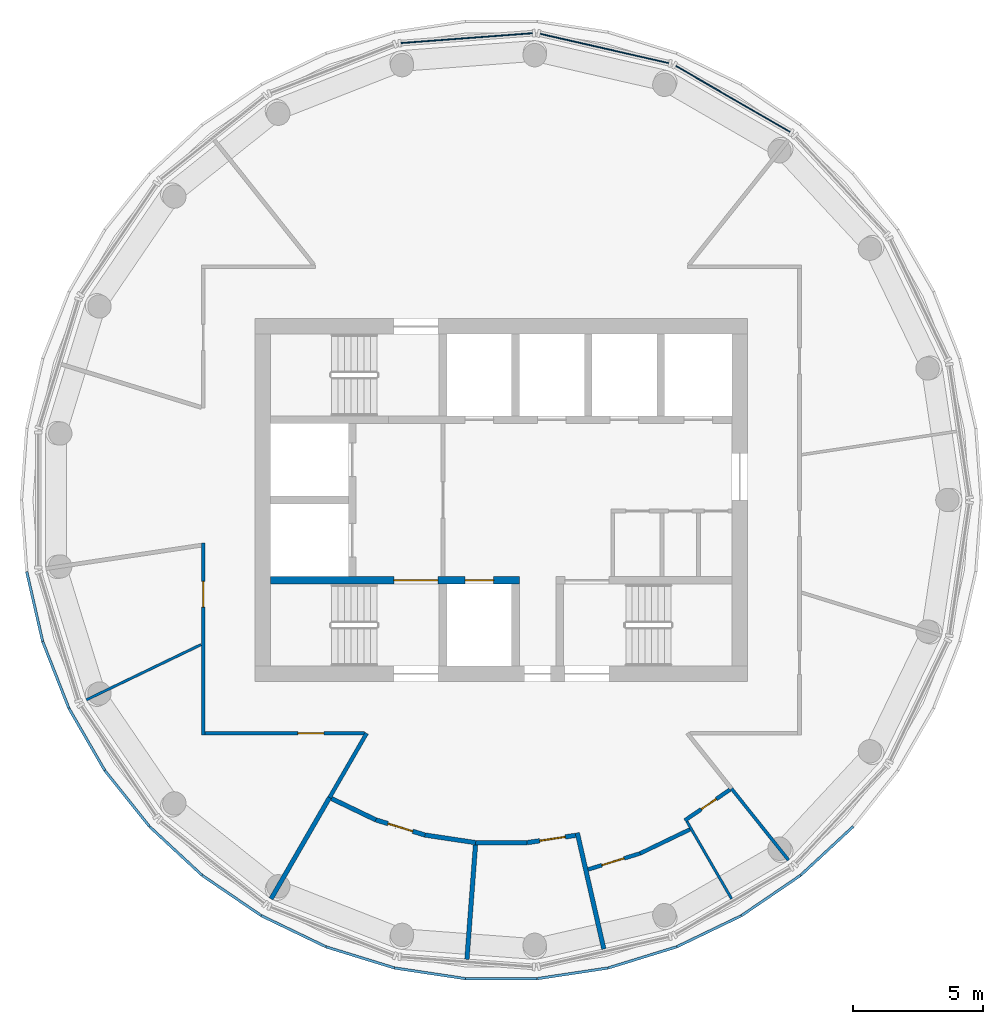
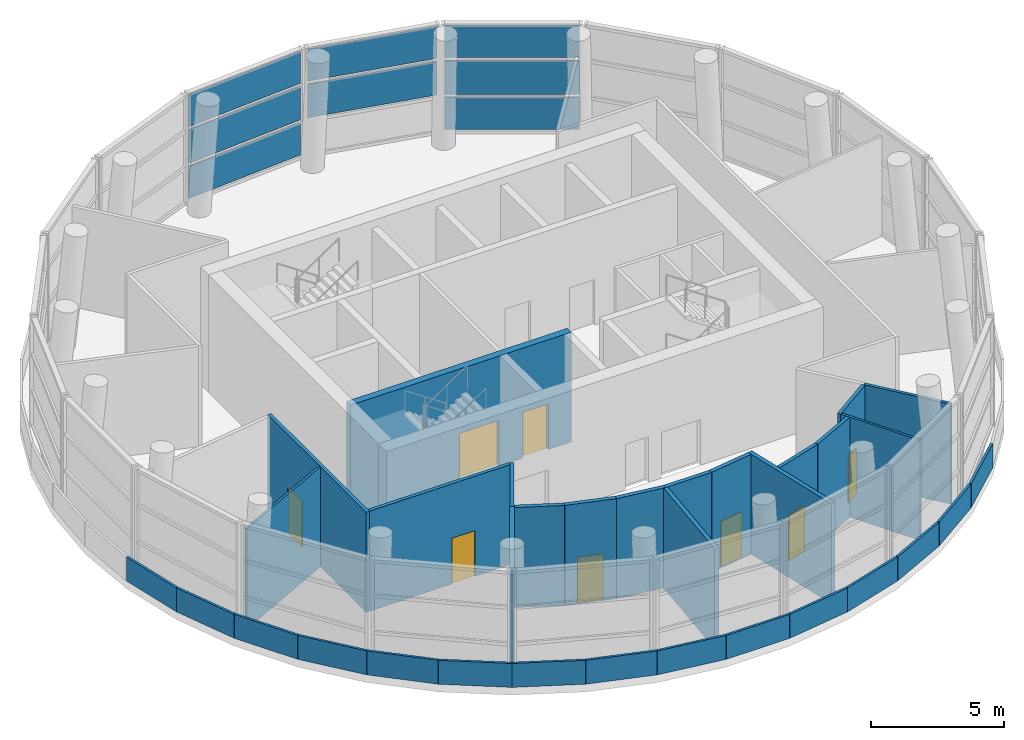
# One storey, part 5 of 11: 33 walls, 8 doors, 8 plates, 8 openings, 3 elements without a shape of their own.
"""IFC4 building model written with IfcOpenShell, lengths in metres."""

from ifc_helpers import new_model, si_unit, direction, frame, frame_2d, origin, origin_2d, place, context, subcontext, project, spatial, rectangle, extrude, material, layer, layer_set, type_object, element, fill, aggregate, save


model = new_model("IFC4")

# Units and contexts
model_context = context("Model", 3, precision=1e-05, world=origin(), true_north=direction((0.0, 1.0)))
body_context = subcontext(model_context, "Body", "Model", "MODEL_VIEW")
ifc_project = project(units=[si_unit("LENGTHUNIT", "METRE"), si_unit("AREAUNIT", "SQUARE_METRE"), si_unit("VOLUMEUNIT", "CUBIC_METRE"), si_unit("PLANEANGLEUNIT", "RADIAN"), si_unit("MASSUNIT", "GRAM", prefix="KILO")], contexts=[model_context])

# Site, building, storey
site_placement = place(None, origin())
site = spatial("IfcSite", under=ifc_project, at=site_placement, CompositionType="ELEMENT")
building_placement = place(site_placement, origin())
building = spatial("IfcBuilding", under=site, at=building_placement, Name="Tracery Tower", CompositionType="ELEMENT")
storey_placement = place(building_placement, frame((0.0, 0.0, 346.800048828125)))
storey = spatial("IfcBuildingStorey", under=building, at=storey_placement, Name="L89", CompositionType="ELEMENT", Elevation=346.800048828125)

# Curtain wall, plates
ifc_material_1 = material(Name="Aluminium curtain wall with tinted glass", Category="aluminium")
curtain_wall_type = type_object("IfcCurtainWallType", Name="Observation lower deck glazing curtain wall", PredefinedType="NOTDEFINED", material=ifc_material_1)
curtain_wall_1_placement = place(storey_placement, origin())
curtain_wall_1 = element("IfcCurtainWall", 1, at=curtain_wall_1_placement, inside=storey, type_object=curtain_wall_type, Name="Observation lower deck glazing run 03", PredefinedType="NOTDEFINED")
ifc_material_2 = material(Name="Tinted laminated glass", Category="glass")
ifc_layer_1 = layer(ifc_material_2, 0.0439453125)
ifc_layer_set_1 = layer_set([ifc_layer_1], Name="Observation lower deck glazing glass panel 44")
plate_type = type_object("IfcPlateType", Name="Observation lower deck glazing glass panel 44", PredefinedType="CURTAIN_PANEL", material=ifc_layer_set_1)
plate_1_placement = place(storey_placement, frame((8.935302734375, 15.47607421875, 0.14013671875), z_axis=(0.0, 0.0, 1.0), x_axis=(-0.866025553682, 0.49999974037, 0.0)))
plate_1 = element("IfcPlate", 2, at=plate_1_placement, type_object=plate_type, Name="CWB4 panel 1.1", PredefinedType="CURTAIN_PANEL", context=body_context, shape_type="SweptSolid", body=[
    extrude(rectangle(XDim=5.0869140625, YDim=0.0439453125, at=origin_2d()), origin(), (0.0, 0.0, 1.0), 1.473388671875),
])
plate_2_placement = place(storey_placement, frame((8.935302734375, 15.47607421875, 1.753173828125), z_axis=(0.0, 0.0, 1.0), x_axis=(-0.866025553682, 0.49999974037, 0.0)))
plate_2 = element("IfcPlate", 3, at=plate_2_placement, type_object=plate_type, Name="CWB4 panel 1.2", PredefinedType="CURTAIN_PANEL", context=body_context, shape_type="SweptSolid", body=[
    extrude(rectangle(XDim=5.0869140625, YDim=0.0439453125, at=origin_2d()), origin(), (0.0, 0.0, 1.0), 1.54345703125),
])
plate_3_placement = place(storey_placement, frame((8.935302734375, 15.47607421875, 3.4365234375), z_axis=(0.0, 0.0, 1.0), x_axis=(-0.866025553682, 0.49999974037, 0.0)))
plate_3 = element("IfcPlate", 4, at=plate_3_placement, type_object=plate_type, Name="CWB4 panel 1.3", PredefinedType="CURTAIN_PANEL", context=body_context, shape_type="SweptSolid", body=[
    extrude(rectangle(XDim=5.0869140625, YDim=0.0439453125, at=origin_2d()), origin(), (0.0, 0.0, 1.0), 1.473388671875),
])
aggregate(curtain_wall_1, [plate_1, plate_2, plate_3])

curtain_wall_2_placement = place(storey_placement, origin())
curtain_wall_2 = element("IfcCurtainWall", 5, at=curtain_wall_2_placement, inside=storey, type_object=curtain_wall_type, Name="Observation lower deck glazing run 04", PredefinedType="NOTDEFINED")
plate_4_placement = place(storey_placement, frame((3.9765625, 17.42236328125, 1.753173828125), z_axis=(0.0, 0.0, 1.0), x_axis=(-0.974925121639, 0.222533159769, 0.0)))
plate_4 = element("IfcPlate", 6, at=plate_4_placement, type_object=plate_type, Name="CWB4 panel 1.2", PredefinedType="CURTAIN_PANEL", context=body_context, shape_type="SweptSolid", body=[
    extrude(rectangle(XDim=5.087158203125, YDim=0.0439453125, at=origin_2d()), origin(), (0.0, 0.0, 1.0), 1.54345703125),
])
plate_5_placement = place(storey_placement, frame((3.9765625, 17.42236328125, 3.4365234375), z_axis=(0.0, 0.0, 1.0), x_axis=(-0.974925121639, 0.222533159769, 0.0)))
plate_5 = element("IfcPlate", 7, at=plate_5_placement, type_object=plate_type, Name="CWB4 panel 1.3", PredefinedType="CURTAIN_PANEL", context=body_context, shape_type="SweptSolid", body=[
    extrude(rectangle(XDim=5.087158203125, YDim=0.0439453125, at=origin_2d()), origin(), (0.0, 0.0, 1.0), 1.473388671875),
])
aggregate(curtain_wall_2, [plate_4, plate_5])

curtain_wall_3_placement = place(storey_placement, origin())
curtain_wall_3 = element("IfcCurtainWall", 8, at=curtain_wall_3_placement, inside=storey, type_object=curtain_wall_type, Name="Observation lower deck glazing run 05", PredefinedType="NOTDEFINED")
plate_6_placement = place(storey_placement, frame((-1.33544921875, 17.8203125, 0.14013671875), z_axis=(0.0, 0.0, 1.0), x_axis=(-0.997203734876, -0.074730924986, 0.0)))
plate_6 = element("IfcPlate", 9, at=plate_6_placement, type_object=plate_type, Name="CWB4 panel 1.1", PredefinedType="CURTAIN_PANEL", context=body_context, shape_type="SweptSolid", body=[
    extrude(rectangle(XDim=5.087158203125, YDim=0.0439453125, at=origin_2d()), origin(), (0.0, 0.0, 1.0), 1.473388671875),
])
plate_7_placement = place(storey_placement, frame((-1.33544921875, 17.8203125, 1.753173828125), z_axis=(0.0, 0.0, 1.0), x_axis=(-0.997203734876, -0.074730924986, 0.0)))
plate_7 = element("IfcPlate", 10, at=plate_7_placement, type_object=plate_type, Name="CWB4 panel 1.2", PredefinedType="CURTAIN_PANEL", context=body_context, shape_type="SweptSolid", body=[
    extrude(rectangle(XDim=5.087158203125, YDim=0.0439453125, at=origin_2d()), origin(), (0.0, 0.0, 1.0), 1.54345703125),
])
plate_8_placement = place(storey_placement, frame((-1.33544921875, 17.8203125, 3.4365234375), z_axis=(0.0, 0.0, 1.0), x_axis=(-0.997203734876, -0.074730924986, 0.0)))
plate_8 = element("IfcPlate", 11, at=plate_8_placement, type_object=plate_type, Name="CWB4 panel 1.3", PredefinedType="CURTAIN_PANEL", context=body_context, shape_type="SweptSolid", body=[
    extrude(rectangle(XDim=5.087158203125, YDim=0.0439453125, at=origin_2d()), origin(), (0.0, 0.0, 1.0), 1.473388671875),
])
aggregate(curtain_wall_3, [plate_6, plate_7, plate_8])

# Walls
ifc_material_3 = material(Name="Plasterboard on steel studs", Category="steel")
ifc_layer_2 = layer(ifc_material_3, 0.175048828125)
ifc_layer_set_2 = layer_set([ifc_layer_2], Name="Compartment partition 175")
wall_type_1 = type_object("IfcWallType", Name="Compartment partition 175", PredefinedType="PARTITIONING", material=ifc_layer_set_2)
wall_1_placement = place(storey_placement, frame((-8.8857421875, -15.390380859375, 0.0), z_axis=(0.0, 0.0, 1.0), x_axis=(0.5000143739, 0.86601710485, 0.0)))
element("IfcWall", 12, at=wall_1_placement, inside=storey, type_object=wall_type_1, Name="Compartment partition 175", PredefinedType="PARTITIONING", context=body_context, shape_type="SweptSolid", body=[
    extrude(rectangle(XDim=4.512451171875, YDim=0.175048828125, at=frame_2d((2.25634765625, 0.0))), origin(), (0.0, 0.0, 1.0), 4.599853515625),
])
wall_2_placement = place(storey_placement, frame((-6.55029296875, -11.5205078125, 0.0), z_axis=(0.0, 0.0, 1.0), x_axis=(0.900955009882, -0.433912514417, 0.0)))
element("IfcWall", 13, at=wall_2_placement, inside=storey, type_object=wall_type_1, Name="Compartment partition 175", PredefinedType="PARTITIONING", context=body_context, shape_type="SweptSolid", body=[
    extrude(rectangle(XDim=1.893798828125, YDim=0.175048828125, at=frame_2d((0.94677734375, 0.0))), origin(), (0.0, 0.0, 1.0), 4.599853515625),
])

# Wall, opening, door
wall_3_placement = place(storey_placement, frame((-2.9501953125, -12.92626953125, 0.0), z_axis=(0.0, 0.0, 1.0), x_axis=(-0.955597702413, 0.294674449423, 0.0)))
wall_3 = element("IfcWall", 14, at=wall_3_placement, inside=storey, type_object=wall_type_1, Name="Compartment partition 175", PredefinedType="PARTITIONING", context=body_context, shape_type="SweptSolid", body=[
    extrude(rectangle(XDim=1.981689453125, YDim=0.175048828125, at=frame_2d((0.99072265625, 0.0))), origin(), (0.0, 0.0, 1.0), 4.599853515625),
])
opening_1_placement = place(wall_3_placement, frame((0.490966796875, 0.0, 0.0)))
opening_1 = element("IfcOpeningElement", 15, at=opening_1_placement, cuts=wall_3, Name="Opening SB-L89-05", PredefinedType="OPENING", context=body_context, shape_type="SweptSolid", body=[
    extrude(rectangle(XDim=1.0, YDim=2.10009765625, at=frame_2d((0.5, 1.050048828125))), frame((0.0, 0.08740234375, 0.0), z_axis=(0.0, -1.0, 0.0), x_axis=(1.0, 0.0, 0.0)), (0.0, 0.0, 1.0), 0.175048828125),
])
ifc_material_4 = material(Name="Timber door leaf", Category="wood")
door_type_1 = type_object("IfcDoorType", Name="Public room door 1000", OperationType="NOTDEFINED", PredefinedType="DOOR", material=ifc_material_4)
door_1_placement = place(opening_1_placement, origin())
door_1 = element("IfcDoor", 16, at=door_1_placement, inside=storey, type_object=door_type_1, Name="Public room door 1000", OperationType="SINGLE_SWING_RIGHT", OverallHeight=2.10009765625, OverallWidth=1.0, PredefinedType="DOOR", context=body_context, shape_type="SweptSolid", body=[
    extrude(rectangle(XDim=1.0, YDim=2.10009765625, at=frame_2d((0.5, 1.050048828125))), frame((0.0, 0.02490234375, 0.0), z_axis=(0.0, -1.0, 0.0), x_axis=(1.0, 0.0, 0.0)), (0.0, 0.0, 1.0), 0.050048828125),
])
fill(opening_1, door_1)

# Walls
wall_4_placement = place(storey_placement, frame((-2.9501953125, -12.92626953125, 0.0), z_axis=(0.0, 0.0, 1.0), x_axis=(0.988825829778, -0.149075411666, 0.0)))
element("IfcWall", 17, at=wall_4_placement, inside=storey, type_object=wall_type_1, Name="Compartment partition 175", PredefinedType="PARTITIONING", context=body_context, shape_type="SweptSolid", body=[
    extrude(rectangle(XDim=1.981689453125, YDim=0.175048828125, at=frame_2d((0.99072265625, 0.0))), origin(), (0.0, 0.0, 1.0), 4.599853515625),
])
wall_5_placement = place(storey_placement, frame((-1.328125, -17.7216796875, 0.0), z_axis=(0.0, 0.0, 1.0), x_axis=(0.07475977265, 0.997201572599, 0.0)))
element("IfcWall", 18, at=wall_5_placement, inside=storey, type_object=wall_type_1, Name="Compartment partition 175", PredefinedType="PARTITIONING", context=body_context, shape_type="SweptSolid", body=[
    extrude(rectangle(XDim=4.425048828125, YDim=0.175048828125, at=frame_2d((2.21240234375, 0.0))), origin(), (0.0, 0.0, 1.0), 4.599853515625),
])
wall_6_placement = place(storey_placement, frame((-0.99072265625, -13.2216796875, 0.0), z_axis=(0.0, 0.0, 1.0), x_axis=(1.0, 0.0, 0.0)))
element("IfcWall", 19, at=wall_6_placement, inside=storey, type_object=wall_type_1, Name="Compartment partition 175", PredefinedType="PARTITIONING", context=body_context, shape_type="SweptSolid", body=[
    extrude(rectangle(XDim=1.9814453125, YDim=0.175048828125, at=frame_2d((0.99072265625, 0.0))), origin(), (0.0, 0.0, 1.0), 4.599853515625),
])

# Wall, opening, door
wall_7_placement = place(storey_placement, frame((2.86376953125, -12.939208984375, 0.0), z_axis=(0.0, 0.0, 1.0), x_axis=(-0.988818817041, -0.14912192014, 0.0)))
wall_7 = element("IfcWall", 20, at=wall_7_placement, inside=storey, type_object=wall_type_1, Name="Compartment partition 175", PredefinedType="PARTITIONING", context=body_context, shape_type="SweptSolid", body=[
    extrude(rectangle(XDim=1.894287109375, YDim=0.175048828125, at=frame_2d((0.947265625, 0.0))), origin(), (0.0, 0.0, 1.0), 4.599853515625),
])
opening_2_placement = place(wall_7_placement, frame((0.4033203125, 0.0, 0.0)))
opening_2 = element("IfcOpeningElement", 21, at=opening_2_placement, cuts=wall_7, Name="Opening SB-L89-06", PredefinedType="OPENING", context=body_context, shape_type="SweptSolid", body=[
    extrude(rectangle(XDim=1.0, YDim=2.10009765625, at=frame_2d((0.5, 1.050048828125))), frame((0.0, 0.08740234375, 0.0), z_axis=(0.0, -1.0, 0.0), x_axis=(1.0, 0.0, 0.0)), (0.0, 0.0, 1.0), 0.175048828125),
])
ifc_material_5 = material(Name="Steel fire door", Category="steel")
door_type_2 = type_object("IfcDoorType", Name="Kitchen door 1000", OperationType="NOTDEFINED", PredefinedType="DOOR", material=ifc_material_5)
door_2_placement = place(opening_2_placement, origin())
door_2 = element("IfcDoor", 22, at=door_2_placement, inside=storey, type_object=door_type_2, Name="Kitchen door 1000", OperationType="SINGLE_SWING_RIGHT", OverallHeight=2.10009765625, OverallWidth=1.0, PredefinedType="DOOR", context=body_context, shape_type="SweptSolid", body=[
    extrude(rectangle(XDim=1.0, YDim=2.10009765625, at=frame_2d((0.5, 1.050048828125))), frame((0.0, 0.02490234375, 0.0), z_axis=(0.0, -1.0, 0.0), x_axis=(1.0, 0.0, 0.0)), (0.0, 0.0, 1.0), 0.050048828125),
])
fill(opening_2, door_2)

# Wall
wall_8_placement = place(storey_placement, frame((3.95458984375, -17.32568359375, 0.0), z_axis=(0.0, 0.0, 1.0), x_axis=(-0.222540891451, 0.974923356799, 0.0)))
element("IfcWall", 23, at=wall_8_placement, inside=storey, type_object=wall_type_1, Name="Compartment partition 175", PredefinedType="PARTITIONING", context=body_context, shape_type="SweptSolid", body=[
    extrude(rectangle(XDim=4.599853515625, YDim=0.175048828125, at=frame_2d((2.2998046875, 0.0))), origin(), (0.0, 0.0, 1.0), 4.599853515625),
])

# Wall, opening, door
ifc_material_6 = material(Name="Plasterboard on steel studs", Category="steel")
ifc_layer_3 = layer(ifc_material_6, 0.14990234375)
ifc_layer_set_3 = layer_set([ifc_layer_3], Name="Corridor partition 150")
wall_type_2 = type_object("IfcWallType", Name="Corridor partition 150", PredefinedType="PARTITIONING", material=ifc_layer_set_3)
wall_9_placement = place(storey_placement, frame((-5.28271484375, -9.0, 0.0), z_axis=(0.0, 0.0, 1.0), x_axis=(-1.0, 0.0, 0.0)))
wall_9 = element("IfcWall", 24, at=wall_9_placement, inside=storey, type_object=wall_type_2, Name="Corridor partition 150", PredefinedType="PARTITIONING", context=body_context, shape_type="SweptSolid", body=[
    extrude(rectangle(XDim=6.142333984375, YDim=0.14990234375, at=frame_2d((3.0712890625, 0.0))), origin(), (0.0, 0.0, 1.0), 4.599853515625),
])
opening_3_placement = place(wall_9_placement, frame((1.565185546875, 0.0, 0.0)))
opening_3 = element("IfcOpeningElement", 25, at=opening_3_placement, cuts=wall_9, Name="Opening SB-L89-04", PredefinedType="OPENING", context=body_context, shape_type="SweptSolid", body=[
    extrude(rectangle(XDim=1.0, YDim=2.10009765625, at=frame_2d((0.5, 1.050048828125))), frame((0.0, 0.074951171875, 0.0), z_axis=(0.0, -1.0, 0.0), x_axis=(1.0, 0.0, 0.0)), (0.0, 0.0, 1.0), 0.14990234375),
])
door_3_placement = place(opening_3_placement, origin())
door_3 = element("IfcDoor", 26, at=door_3_placement, inside=storey, type_object=door_type_1, Name="Public room door 1000", OperationType="SINGLE_SWING_RIGHT", OverallHeight=2.10009765625, OverallWidth=1.0, PredefinedType="DOOR", context=body_context, shape_type="SweptSolid", body=[
    extrude(rectangle(XDim=1.0, YDim=2.10009765625, at=frame_2d((0.5, 1.050048828125))), frame((0.0, 0.02490234375, 0.0), z_axis=(0.0, -1.0, 0.0), x_axis=(1.0, 0.0, 0.0)), (0.0, 0.0, 1.0), 0.050048828125),
])
fill(opening_3, door_3)

wall_10_placement = place(storey_placement, frame((-11.5, -9.074951171875, 0.0), z_axis=(0.0, 0.0, 1.0), x_axis=(0.0, 1.0, 0.0)))
wall_10 = element("IfcWall", 27, at=wall_10_placement, inside=storey, type_object=wall_type_2, Name="Corridor partition 150", PredefinedType="PARTITIONING", context=body_context, shape_type="SweptSolid", body=[
    extrude(rectangle(XDim=7.416748046875, YDim=0.14990234375, at=frame_2d((3.70849609375, 0.0))), origin(), (0.0, 0.0, 1.0), 4.599853515625),
])
opening_4_placement = place(wall_10_placement, frame((4.939208984375, 0.0, 0.0)))
opening_4 = element("IfcOpeningElement", 28, at=opening_4_placement, cuts=wall_10, Name="Opening SB-L89-03", PredefinedType="OPENING", context=body_context, shape_type="SweptSolid", body=[
    extrude(rectangle(XDim=1.0, YDim=2.10009765625, at=frame_2d((0.5, 1.050048828125))), frame((0.0, 0.074951171875, 0.0), z_axis=(0.0, -1.0, 0.0), x_axis=(1.0, 0.0, 0.0)), (0.0, 0.0, 1.0), 0.14990234375),
])
door_4_placement = place(opening_4_placement, origin())
door_4 = element("IfcDoor", 29, at=door_4_placement, inside=storey, type_object=door_type_1, Name="Public room door 1000", OperationType="SINGLE_SWING_RIGHT", OverallHeight=2.10009765625, OverallWidth=1.0, PredefinedType="DOOR", context=body_context, shape_type="SweptSolid", body=[
    extrude(rectangle(XDim=1.0, YDim=2.10009765625, at=frame_2d((0.5, 1.050048828125))), frame((0.0, 0.02490234375, 0.0), z_axis=(0.0, -1.0, 0.0), x_axis=(1.0, 0.0, 0.0)), (0.0, 0.0, 1.0), 0.050048828125),
])
fill(opening_4, door_4)

# Wall
wall_11_placement = place(storey_placement, frame((-6.62939453125, -11.482421875, 0.0), z_axis=(0.0, 0.0, 1.0), x_axis=(0.499968216944, 0.866043752963, 0.0)))
element("IfcWall", 30, at=wall_11_placement, inside=storey, type_object=wall_type_2, Name="Corridor partition 150", PredefinedType="PARTITIONING", context=body_context, shape_type="SweptSolid", body=[
    extrude(rectangle(XDim=2.866455078125, YDim=0.14990234375, at=frame_2d((1.43310546875, 0.0))), origin(), (0.0, 0.0, 1.0), 4.599853515625),
])

# Wall, opening, door
wall_12_placement = place(storey_placement, frame((5.35205078125, -13.636962890625, 0.0), z_axis=(0.0, 0.0, 1.0), x_axis=(-0.95558264505, -0.294723274411, 0.0)))
wall_12 = element("IfcWall", 31, at=wall_12_placement, inside=storey, type_object=wall_type_2, Name="Corridor partition 150", PredefinedType="PARTITIONING", context=body_context, shape_type="SweptSolid", body=[
    extrude(rectangle(XDim=2.09912109375, YDim=0.14990234375, at=frame_2d((1.049560546875, 0.0))), origin(), (0.0, 0.0, 1.0), 4.599853515625),
])
opening_5_placement = place(wall_12_placement, frame((0.644775390625, 0.0, 0.0)))
opening_5 = element("IfcOpeningElement", 32, at=opening_5_placement, cuts=wall_12, Name="Opening SB-L89-07", PredefinedType="OPENING", context=body_context, shape_type="SweptSolid", body=[
    extrude(rectangle(XDim=0.89990234375, YDim=2.10009765625, at=frame_2d((0.449951171875, 1.050048828125))), frame((0.0, 0.074951171875, 0.0), z_axis=(0.0, -1.0, 0.0), x_axis=(1.0, 0.0, 0.0)), (0.0, 0.0, 1.0), 0.14990234375),
])
ifc_material_7 = material(Name="Steel fire door", Category="steel")
door_type_3 = type_object("IfcDoorType", Name="Store door 900", OperationType="NOTDEFINED", PredefinedType="DOOR", material=ifc_material_7)
door_5_placement = place(opening_5_placement, origin())
door_5 = element("IfcDoor", 33, at=door_5_placement, inside=storey, type_object=door_type_3, Name="Store door 900", OperationType="SINGLE_SWING_RIGHT", OverallHeight=2.10009765625, OverallWidth=0.89990234375, PredefinedType="DOOR", context=body_context, shape_type="SweptSolid", body=[
    extrude(rectangle(XDim=0.89990234375, YDim=2.10009765625, at=frame_2d((0.449951171875, 1.050048828125))), frame((0.0, 0.02490234375, 0.0), z_axis=(0.0, -1.0, 0.0), x_axis=(1.0, 0.0, 0.0)), (0.0, 0.0, 1.0), 0.050048828125),
])
fill(opening_5, door_5)

# Wall
wall_13_placement = place(storey_placement, frame((5.35205078125, -13.636962890625, 0.0), z_axis=(0.0, 0.0, 1.0), x_axis=(0.900978510116, 0.433863716285, 0.0)))
element("IfcWall", 34, at=wall_13_placement, inside=storey, type_object=wall_type_2, Name="Corridor partition 150", PredefinedType="PARTITIONING", context=body_context, shape_type="SweptSolid", body=[
    extrude(rectangle(XDim=2.13671875, YDim=0.14990234375, at=frame_2d((1.068359375, 0.0))), origin(), (0.0, 0.0, 1.0), 4.599853515625),
])

# Wall, opening, door
wall_14_placement = place(storey_placement, frame((8.81787109375, -11.177490234375, 0.0), z_axis=(0.0, 0.0, 1.0), x_axis=(-0.826219976546, -0.56334762834, 0.0)))
wall_14 = element("IfcWall", 35, at=wall_14_placement, inside=storey, type_object=wall_type_2, Name="Corridor partition 150", PredefinedType="PARTITIONING", context=body_context, shape_type="SweptSolid", body=[
    extrude(rectangle(XDim=2.103515625, YDim=0.14990234375, at=frame_2d((1.0517578125, 0.0))), origin(), (0.0, 0.0, 1.0), 4.599853515625),
])
opening_6_placement = place(wall_14_placement, frame((0.63916015625, 0.0, 0.0)))
opening_6 = element("IfcOpeningElement", 36, at=opening_6_placement, cuts=wall_14, Name="Opening SB-L89-08", PredefinedType="OPENING", context=body_context, shape_type="SweptSolid", body=[
    extrude(rectangle(XDim=0.699951171875, YDim=2.10009765625, at=frame_2d((0.35009765625, 1.050048828125))), frame((0.0, 0.074951171875, 0.0), z_axis=(0.0, -1.0, 0.0), x_axis=(1.0, 0.0, 0.0)), (0.0, 0.0, 1.0), 0.14990234375),
])
ifc_material_8 = material(Name="Steel fire door", Category="steel")
door_type_4 = type_object("IfcDoorType", Name="Riser door 700", OperationType="NOTDEFINED", PredefinedType="DOOR", material=ifc_material_8)
door_6_placement = place(opening_6_placement, origin())
door_6 = element("IfcDoor", 37, at=door_6_placement, inside=storey, type_object=door_type_4, Name="Riser door 700", OperationType="SINGLE_SWING_RIGHT", OverallHeight=2.10009765625, OverallWidth=0.699951171875, PredefinedType="DOOR", context=body_context, shape_type="SweptSolid", body=[
    extrude(rectangle(XDim=0.699951171875, YDim=2.10009765625, at=frame_2d((0.35009765625, 1.050048828125))), frame((0.0, 0.02490234375, 0.0), z_axis=(0.0, -1.0, 0.0), x_axis=(1.0, 0.0, 0.0)), (0.0, 0.0, 1.0), 0.050048828125),
])
fill(opening_6, door_6)

# Walls
ifc_material_9 = material(Name="Tinted laminated glass", Category="glass")
ifc_layer_4 = layer(ifc_material_9, 0.10009765625)
ifc_layer_set_4 = layer_set([ifc_layer_4], Name="Crown ledge glass parapet 100")
wall_type_3 = type_object("IfcWallType", Name="Crown ledge glass parapet 100", PredefinedType="PARAPET", material=ifc_layer_set_4)
for number, where, z_axis, x_axis, name in (
    (38, (-18.314208984375, -2.76513671875, 0.0), (0.0, 0.0, 1.0), (0.222558080593, -0.97491943296, 0.0), "Crown ledge glass parapet L89 23"),
    (39, (-17.697509765625, -5.4638671875, 0.0), (0.0, 0.0, 1.0), (0.365386781349, -0.930855789054, 0.0), "Crown ledge glass parapet L89 24"),
    (40, (-16.685302734375, -8.04052734375, 0.0), (0.0, 0.0, 1.0), (0.500003336238, -0.866023477598, 0.0), "Crown ledge glass parapet L89 25"),
):
    element("IfcWall", number, at=place(storey_placement, frame(where, z_axis=z_axis, x_axis=x_axis)), inside=storey, type_object=wall_type_3, Name=name, PredefinedType="PARAPET", context=body_context, shape_type="SweptSolid", body=[
        extrude(rectangle(XDim=2.7587890625, YDim=0.10009765625, at=frame_2d((1.37939453125, 0.0))), origin(), (0.0, 0.0, 1.0), 1.099853515625),
    ])
wall_15_placement = place(storey_placement, frame((-15.30078125, -10.4375, 0.0), z_axis=(0.0, 0.0, 1.0), x_axis=(0.623507251966, -0.781817566153, 0.0)))
element("IfcWall", 41, at=wall_15_placement, inside=storey, type_object=wall_type_3, Name="Crown ledge glass parapet L89 26", PredefinedType="PARAPET", context=body_context, shape_type="SweptSolid", body=[
    extrude(rectangle(XDim=2.759033203125, YDim=0.10009765625, at=frame_2d((1.37939453125, 0.0))), origin(), (0.0, 0.0, 1.0), 1.099853515625),
])
for number, where, z_axis, x_axis, name in (
    (42, (-13.57421875, -12.601318359375, 0.0), (0.0, 0.0, 1.0), (0.733070787657, -0.680152350789, 0.0), "Crown ledge glass parapet L89 27"),
    (43, (-11.54443359375, -14.48388671875, 0.0), (0.0, 0.0, 1.0), (0.826274145989, -0.563268173848, 0.0), "Crown ledge glass parapet L89 28"),
):
    element("IfcWall", number, at=place(storey_placement, frame(where, z_axis=z_axis, x_axis=x_axis)), inside=storey, type_object=wall_type_3, Name=name, PredefinedType="PARAPET", context=body_context, shape_type="SweptSolid", body=[
        extrude(rectangle(XDim=2.7587890625, YDim=0.10009765625, at=frame_2d((1.37939453125, 0.0))), origin(), (0.0, 0.0, 1.0), 1.099853515625),
    ])
wall_16_placement = place(storey_placement, frame((-9.2568359375, -16.04248046875, 0.0), z_axis=(0.0, 0.0, 1.0), x_axis=(0.900982453825, -0.433855526528, 0.0)))
element("IfcWall", 44, at=wall_16_placement, inside=storey, type_object=wall_type_3, Name="Crown ledge glass parapet L89 29", PredefinedType="PARAPET", context=body_context, shape_type="SweptSolid", body=[
    extrude(rectangle(XDim=2.759033203125, YDim=0.10009765625, at=frame_2d((1.37939453125, 0.0))), origin(), (0.0, 0.0, 1.0), 1.099853515625),
])
wall_17_placement = place(storey_placement, frame((-6.76220703125, -17.2431640625, 0.0), z_axis=(0.0, 0.0, 1.0), x_axis=(0.955558681515, -0.294800960278, 0.0)))
element("IfcWall", 45, at=wall_17_placement, inside=storey, type_object=wall_type_3, Name="Crown ledge glass parapet L89 30", PredefinedType="PARAPET", context=body_context, shape_type="SweptSolid", body=[
    extrude(rectangle(XDim=2.758544921875, YDim=0.10009765625, at=frame_2d((1.37939453125, 0.0))), origin(), (0.0, 0.0, 1.0), 1.099853515625),
])
for number, where, z_axis, x_axis, name in (
    (46, (-4.116943359375, -18.058349609375, 0.0), (0.0, 0.0, 1.0), (0.988833558512, -0.14902413751, 0.0), "Crown ledge glass parapet L89 31"),
    (47, (-1.37939453125, -18.47021484375, 0.0), (0.0, 0.0, 1.0), (1.0, 0.0, 0.0), "Crown ledge glass parapet L89 32"),
    (48, (1.388916015625, -18.469482421875, 0.0), (0.0, 0.0, 1.0), (0.988833558512, 0.14902413751, 0.0), "Crown ledge glass parapet L89 33"),
):
    element("IfcWall", number, at=place(storey_placement, frame(where, z_axis=z_axis, x_axis=x_axis)), inside=storey, type_object=wall_type_3, Name=name, PredefinedType="PARAPET", context=body_context, shape_type="SweptSolid", body=[
        extrude(rectangle(XDim=2.7587890625, YDim=0.10009765625, at=frame_2d((1.37939453125, 0.0))), origin(), (0.0, 0.0, 1.0), 1.099853515625),
    ])
wall_18_placement = place(storey_placement, frame((4.126220703125, -18.056396484375, 0.0), z_axis=(0.0, 0.0, 1.0), x_axis=(0.955558681515, 0.294800960278, 0.0)))
element("IfcWall", 49, at=wall_18_placement, inside=storey, type_object=wall_type_3, Name="Crown ledge glass parapet L89 34", PredefinedType="PARAPET", context=body_context, shape_type="SweptSolid", body=[
    extrude(rectangle(XDim=2.758544921875, YDim=0.10009765625, at=frame_2d((1.37939453125, 0.0))), origin(), (0.0, 0.0, 1.0), 1.099853515625),
])
wall_19_placement = place(storey_placement, frame((6.77099609375, -17.239501953125, 0.0), z_axis=(0.0, 0.0, 1.0), x_axis=(0.900982453825, 0.433855526528, 0.0)))
element("IfcWall", 50, at=wall_19_placement, inside=storey, type_object=wall_type_3, Name="Crown ledge glass parapet L89 35", PredefinedType="PARAPET", context=body_context, shape_type="SweptSolid", body=[
    extrude(rectangle(XDim=2.759033203125, YDim=0.10009765625, at=frame_2d((1.37939453125, 0.0))), origin(), (0.0, 0.0, 1.0), 1.099853515625),
])
for number, where, z_axis, x_axis, name in (
    (51, (9.264892578125, -16.037841796875, 0.0), (0.0, 0.0, 1.0), (0.826274145989, 0.563268173848, 0.0), "Crown ledge glass parapet L89 36"),
    (52, (11.5517578125, -14.477783203125, 0.0), (0.0, 0.0, 1.0), (0.733070787657, 0.680152350789, 0.0), "Crown ledge glass parapet L89 37"),
):
    element("IfcWall", number, at=place(storey_placement, frame(where, z_axis=z_axis, x_axis=x_axis)), inside=storey, type_object=wall_type_3, Name=name, PredefinedType="PARAPET", context=body_context, shape_type="SweptSolid", body=[
        extrude(rectangle(XDim=2.7587890625, YDim=0.10009765625, at=frame_2d((1.37939453125, 0.0))), origin(), (0.0, 0.0, 1.0), 1.099853515625),
    ])

# Wall, openings, doors
ifc_material_10 = material(Name="Concrete C40/50", Category="concrete")
ifc_layer_5 = layer(ifc_material_10, 0.300048828125)
ifc_layer_set_5 = layer_set([ifc_layer_5], Name="Stair wall 300 C40")
wall_type_4 = type_object("IfcWallType", Name="Stair wall 300 C40", PredefinedType="SOLIDWALL", material=ifc_layer_set_5)
wall_20_placement = place(storey_placement, frame((-8.89990234375, -3.10009765625, 0.0), z_axis=(0.0, 0.0, 1.0), x_axis=(1.0, 0.0, 0.0)))
wall_20 = element("IfcWall", 53, at=wall_20_placement, inside=storey, type_object=wall_type_4, Name="L89 row S", PredefinedType="SOLIDWALL", context=body_context, shape_type="SweptSolid", body=[
    extrude(rectangle(XDim=9.599853515625, YDim=0.300048828125, at=frame_2d((4.7998046875, 0.0))), origin(), (0.0, 0.0, 1.0), 5.050048828125),
])
opening_7_placement = place(wall_20_placement, frame((4.75, 0.0, 0.0)))
opening_7 = element("IfcOpeningElement", 54, at=opening_7_placement, cuts=wall_20, Name="Opening KD3", PredefinedType="OPENING", context=body_context, shape_type="SweptSolid", body=[
    extrude(rectangle(XDim=1.699951171875, YDim=2.10009765625, at=frame_2d((0.85009765625, 1.050048828125))), frame((0.0, 0.14990234375, 0.0), z_axis=(0.0, -1.0, 0.0), x_axis=(1.0, 0.0, 0.0)), (0.0, 0.0, 1.0), 0.300048828125),
])
opening_8_placement = place(wall_20_placement, frame((7.5, 0.0, 0.0)))
opening_8 = element("IfcOpeningElement", 55, at=opening_8_placement, cuts=wall_20, Name="Opening KD49", PredefinedType="OPENING", context=body_context, shape_type="SweptSolid", body=[
    extrude(rectangle(XDim=1.10009765625, YDim=2.10009765625, at=frame_2d((0.550048828125, 1.050048828125))), frame((0.0, 0.14990234375, 0.0), z_axis=(0.0, -1.0, 0.0), x_axis=(1.0, 0.0, 0.0)), (0.0, 0.0, 1.0), 0.300048828125),
])
ifc_material_11 = material(Name="Steel fire door", Category="steel")
door_type_5 = type_object("IfcDoorType", Name="Core stair door 1700 double", OperationType="NOTDEFINED", PredefinedType="DOOR", material=ifc_material_11)
door_7_placement = place(opening_7_placement, origin())
door_7 = element("IfcDoor", 56, at=door_7_placement, inside=storey, type_object=door_type_5, Name="Stair door ST1", OperationType="DOUBLE_DOOR_SINGLE_SWING", OverallHeight=2.10009765625, OverallWidth=1.699951171875, PredefinedType="DOOR", context=body_context, shape_type="SweptSolid", body=[
    extrude(rectangle(XDim=1.699951171875, YDim=2.10009765625, at=frame_2d((0.85009765625, 1.050048828125))), frame((0.0, 0.02490234375, 0.0), z_axis=(0.0, -1.0, 0.0), x_axis=(1.0, 0.0, 0.0)), (0.0, 0.0, 1.0), 0.050048828125),
])
fill(opening_7, door_7)
ifc_material_12 = material(Name="Steel fire door", Category="steel")
door_type_6 = type_object("IfcDoorType", Name="Landing door 1100", OperationType="NOTDEFINED", PredefinedType="DOOR", material=ifc_material_12)
door_8_placement = place(opening_8_placement, origin())
door_8 = element("IfcDoor", 57, at=door_8_placement, inside=storey, type_object=door_type_6, Name="Landing door OB2", OperationType="SLIDING_TO_LEFT", OverallHeight=2.10009765625, OverallWidth=1.10009765625, PredefinedType="DOOR", context=body_context, shape_type="SweptSolid", body=[
    extrude(rectangle(XDim=1.10009765625, YDim=2.10009765625, at=frame_2d((0.550048828125, 1.050048828125))), frame((0.0, 0.02490234375, 0.0), z_axis=(0.0, -1.0, 0.0), x_axis=(1.0, 0.0, 0.0)), (0.0, 0.0, 1.0), 0.050048828125),
])
fill(opening_8, door_8)

# Walls
ifc_material_13 = material(Name="Plasterboard on steel studs", Category="steel")
ifc_layer_6 = layer(ifc_material_13, 0.10009765625)
ifc_layer_set_6 = layer_set([ifc_layer_6], Name="Stud partition 100")
wall_type_5 = type_object("IfcWallType", Name="Stud partition 100", PredefinedType="PARTITIONING", material=ifc_layer_set_6)
wall_21_placement = place(storey_placement, frame((-16.011474609375, -7.710693359375, 0.0), z_axis=(0.0, 0.0, 1.0), x_axis=(0.900968570444, 0.433884356795, 0.0)))
element("IfcWall", 58, at=wall_21_placement, inside=storey, type_object=wall_type_5, Name="Stud partition 100", PredefinedType="PARTITIONING", context=body_context, shape_type="SweptSolid", body=[
    extrude(rectangle(XDim=4.912353515625, YDim=0.10009765625, at=frame_2d((2.4560546875, 0.0))), origin(), (0.0, 0.0, 1.0), 4.599853515625),
])
wall_22_placement = place(storey_placement, frame((8.8857421875, -15.390380859375, 0.0), z_axis=(0.0, 0.0, 1.0), x_axis=(-0.50004675153, 0.865998410093, 0.0)))
element("IfcWall", 59, at=wall_22_placement, inside=storey, type_object=wall_type_5, Name="Stud partition 100", PredefinedType="PARTITIONING", context=body_context, shape_type="SweptSolid", body=[
    extrude(rectangle(XDim=3.453857421875, YDim=0.10009765625, at=frame_2d((1.72705078125, 0.0))), origin(), (0.0, 0.0, 1.0), 4.599853515625),
])
ifc_material_14 = material(Name="Plasterboard on steel studs", Category="steel")
ifc_layer_7 = layer(ifc_material_14, 0.125)
ifc_layer_set_7 = layer_set([ifc_layer_7], Name="Wet area partition 125")
wall_type_6 = type_object("IfcWallType", Name="Wet area partition 125", PredefinedType="PARTITIONING", material=ifc_layer_set_7)
wall_23_placement = place(storey_placement, frame((11.080322265625, -13.894287109375, 0.0), z_axis=(0.0, 0.0, 1.0), x_axis=(-0.623521653391, 0.781806080658, 0.0)))
element("IfcWall", 60, at=wall_23_placement, inside=storey, type_object=wall_type_6, Name="Wet area partition 125", PredefinedType="PARTITIONING", context=body_context, shape_type="SweptSolid", body=[
    extrude(rectangle(XDim=3.529052734375, YDim=0.125, at=frame_2d((1.7646484375, 0.0))), origin(), (0.0, 0.0, 1.0), 4.599853515625),
])

save(model, "model.ifc")
